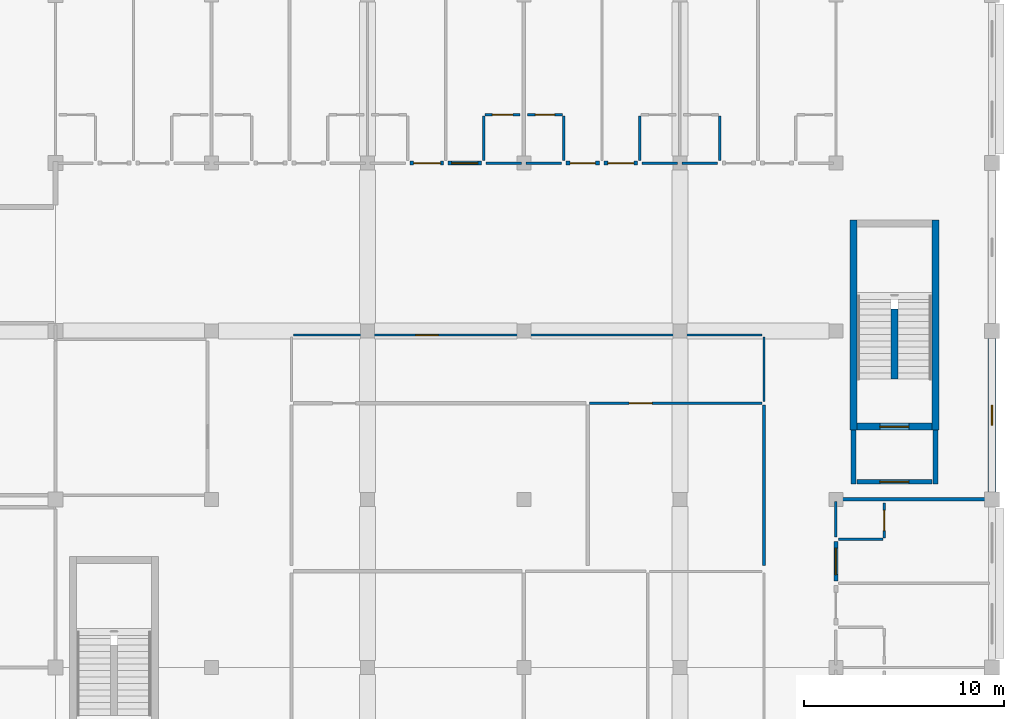
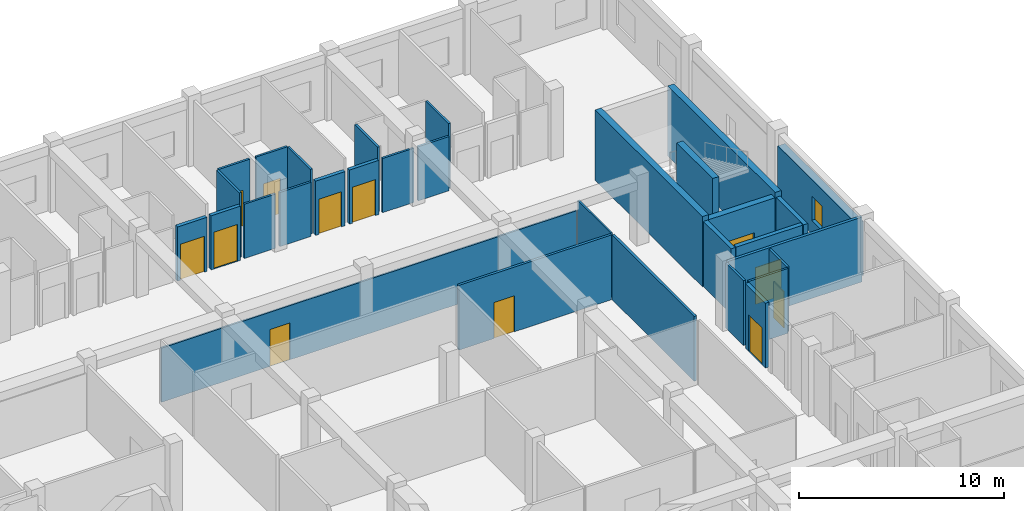
# One storey, part 42 of 53: 31 walls, 12 doors, 1 window, 13 openings.
"""IFC4 building model written with IfcOpenShell, lengths in metres."""

from ifc_helpers import new_model, si_unit, direction, frame, frame_2d, origin, place, context, subcontext, project, spatial, rectangle, extrude, material, layer, layer_set, type_object, element, fill, save


model = new_model("IFC4")

# Units and contexts
model_context = context("Model", 3, precision=1e-05, world=origin(), true_north=direction((0.0, 1.0)))
body_context = subcontext(model_context, "Body", "Model", "MODEL_VIEW")
ifc_project = project(units=[si_unit("LENGTHUNIT", "METRE"), si_unit("AREAUNIT", "SQUARE_METRE"), si_unit("VOLUMEUNIT", "CUBIC_METRE"), si_unit("PLANEANGLEUNIT", "RADIAN"), si_unit("MASSUNIT", "GRAM", prefix="KILO"), si_unit("THERMODYNAMICTEMPERATUREUNIT", "KELVIN"), si_unit("POWERUNIT", "WATT")], contexts=[model_context])

# Site, building, storey
site_placement = place(None, origin())
site = spatial("IfcSite", under=ifc_project, at=site_placement, CompositionType="ELEMENT")
building_placement = place(site_placement, origin())
building = spatial("IfcBuilding", under=site, at=building_placement, Name="Srebrne Nadtorze General Hospital", CompositionType="ELEMENT")
storey_placement = place(building_placement, frame((0.0, 0.0, 18.0)))
storey = spatial("IfcBuildingStorey", under=building, at=storey_placement, Name="L04", CompositionType="ELEMENT", Elevation=18.0)

# Wall, opening, window
ifc_material_1 = material(Name="Concrete C40/50", Category="concrete")
ifc_layer_1 = layer(ifc_material_1, 0.419921875)
ifc_layer_set_1 = layer_set([ifc_layer_1], Name="Concrete C40/50")
wall_type_1 = type_object("IfcWallType", Name="Acoustic buffer wall 420", PredefinedType="SOLIDWALL", material=ifc_layer_set_1)
wall_1_placement = place(storey_placement, frame((148.199951171875, 67.574951171875, 0.0), z_axis=(0.0, 0.0, 1.0), x_axis=(0.0, 1.0, 0.0)))
wall_1 = element("IfcWall", 1, at=wall_1_placement, inside=storey, type_object=wall_type_1, Name="Exterior wall WL-ENV-L04-0401", PredefinedType="SOLIDWALL", context=body_context, shape_type="SweptSolid", body=[
    extrude(rectangle(XDim=7.650146484375, YDim=0.419921875, at=frame_2d((3.8251953125, 0.0))), origin(), (0.0, 0.0, 1.0), 3.235107421875),
])
opening_1_placement = place(wall_1_placement, frame((3.324951171875, 0.0, 0.800048828125)))
opening_1 = element("IfcOpeningElement", 2, at=opening_1_placement, cuts=wall_1, Name="Opening WN-L04-0629", PredefinedType="OPENING", context=body_context, shape_type="SweptSolid", body=[
    extrude(rectangle(XDim=1.0, YDim=1.449951171875, at=frame_2d((0.5, 0.72509765625))), frame((0.0, 0.221923828125, 0.0), z_axis=(0.0, -1.0, 0.0), x_axis=(1.0, 0.0, 0.0)), (0.0, 0.0, 1.0), 0.44384765625),
])
ifc_material_2 = material(Name="Triple Low-E Glazing", Category="glass")
window_type = type_object("IfcWindowType", Name="Punched clinical window 1000x1450", PartitioningType="SINGLE_PANEL", PredefinedType="WINDOW", material=ifc_material_2)
window_placement = place(opening_1_placement, origin())
window = element("IfcWindow", 3, at=window_placement, inside=storey, type_object=window_type, Name="Clinical window WN-L04-0629", OverallHeight=1.449951171875, OverallWidth=1.0, PartitioningType="SINGLE_PANEL", PredefinedType="WINDOW", context=body_context, shape_type="SweptSolid", body=[
    extrude(rectangle(XDim=1.0, YDim=1.449951171875, at=frame_2d((0.5, 0.72509765625))), frame((0.0, 0.030029296875, 0.0), z_axis=(0.0, -1.0, 0.0), x_axis=(1.0, 0.0, 0.0)), (0.0, 0.0, 1.0), 0.06005859375),
])
fill(opening_1, window)

# Wall, opening, door
ifc_material_3 = material(Name="Gypsum Healthcare Partition")
ifc_layer_2 = layer(ifc_material_3, 0.139892578125)
ifc_layer_set_2 = layer_set([ifc_layer_2], Name="Gypsum Healthcare Partition")
wall_type_2 = type_object("IfcWallType", Name="Clinical partition 140", PredefinedType="PARTITIONING", material=ifc_layer_set_2)
wall_2_placement = place(storey_placement, frame((128.0849609375, 72.0, 0.0), z_axis=(0.0, 0.0, 1.0), x_axis=(1.0, 0.0, 0.0)))
wall_2 = element("IfcWall", 4, at=wall_2_placement, inside=storey, type_object=wall_type_2, Name="Ward Echocardiography Suite wall WL-INT-L04-1851", PredefinedType="PARTITIONING", context=body_context, shape_type="SweptSolid", body=[
    extrude(rectangle(XDim=8.630126953125, YDim=0.139892578125, at=frame_2d((4.31494140625, 0.0))), origin(), (0.0, 0.0, 1.0), 3.864990234375),
])
opening_2_placement = place(wall_2_placement, frame((1.982421875, 0.0, 0.0)))
opening_2 = element("IfcOpeningElement", 5, at=opening_2_placement, cuts=wall_2, Name="Opening D-L04-0353", PredefinedType="OPENING", context=body_context, shape_type="SweptSolid", body=[
    extrude(rectangle(XDim=1.14990234375, YDim=2.14990234375, at=frame_2d((0.574951171875, 1.074951171875))), frame((0.0, 0.08203125, 0.0), z_axis=(0.0, -1.0, 0.0), x_axis=(1.0, 0.0, 0.0)), (0.0, 0.0, 1.0), 0.163818359375),
])
ifc_material_4 = material(Name="Anodised Aluminium", Category="aluminium")
door_type_1 = type_object("IfcDoorType", Name="Single leaf door 1150x2150", OperationType="NOTDEFINED", PredefinedType="DOOR", material=ifc_material_4)
door_1_placement = place(opening_2_placement, frame((1.14990234375, 0.0, 0.0), z_axis=(0.0, 0.0, 1.0), x_axis=(-1.0, 0.0, 0.0)))
door_1 = element("IfcDoor", 6, at=door_1_placement, inside=storey, type_object=door_type_1, Name="Ward Echocardiography Suite door D-L04-0353", OperationType="SINGLE_SWING_RIGHT", OverallHeight=2.14990234375, OverallWidth=1.14990234375, PredefinedType="DOOR", context=body_context, shape_type="SweptSolid", body=[
    extrude(rectangle(XDim=1.14990234375, YDim=2.14990234375, at=frame_2d((0.574951171875, 1.074951171875))), frame((0.0, 0.02490234375, 0.0), z_axis=(0.0, -1.0, 0.0), x_axis=(1.0, 0.0, 0.0)), (0.0, 0.0, 1.0), 0.050048828125),
])
fill(opening_2, door_1)

# Walls
wall_3_placement = place(storey_placement, frame((136.800048828125, 63.885009765625, 0.0), z_axis=(0.0, 0.0, 1.0), x_axis=(0.0, 1.0, 0.0)))
element("IfcWall", 7, at=wall_3_placement, inside=storey, type_object=wall_type_2, Name="Ward Echocardiography Suite wall WL-INT-L04-1852", PredefinedType="PARTITIONING", context=body_context, shape_type="SweptSolid", body=[
    extrude(rectangle(XDim=8.030029296875, YDim=0.139892578125, at=frame_2d((4.01513671875, 0.0))), origin(), (0.0, 0.0, 1.0), 3.864990234375),
])
ifc_material_5 = material(Name="Gypsum Healthcare Partition")
ifc_layer_3 = layer(ifc_material_5, 0.159912109375)
ifc_layer_set_3 = layer_set([ifc_layer_3], Name="Gypsum Healthcare Partition")
wall_type_3 = type_object("IfcWallType", Name="Clinical partition 160", PredefinedType="PARTITIONING", material=ifc_layer_set_3)
wall_4_placement = place(storey_placement, frame((140.52001953125, 67.199951171875, 0.0), z_axis=(0.0, 0.0, 1.0), x_axis=(1.0, 0.0, 0.0)))
element("IfcWall", 8, at=wall_4_placement, inside=storey, type_object=wall_type_3, Name="Ward inter-room partition WL-INT-L04-1812", PredefinedType="PARTITIONING", context=body_context, shape_type="SweptSolid", body=[
    extrude(rectangle(XDim=7.56005859375, YDim=0.159912109375, at=frame_2d((3.780029296875, 0.0))), origin(), (0.0, 0.0, 1.0), 3.864990234375),
])

# Wall, opening, door
ifc_material_6 = material(Name="Gypsum Healthcare Partition")
ifc_layer_4 = layer(ifc_material_6, 0.199951171875)
ifc_layer_set_4 = layer_set([ifc_layer_4], Name="Gypsum Healthcare Partition")
wall_type_4 = type_object("IfcWallType", Name="Compartment wall 200", PredefinedType="STANDARD", material=ifc_layer_set_4)
wall_5_placement = place(storey_placement, frame((119.1201171875, 84.0, 0.0), z_axis=(0.0, 0.0, 1.0), x_axis=(1.0, 0.0, 0.0)))
wall_5 = element("IfcWall", 9, at=wall_5_placement, inside=storey, type_object=wall_type_4, Name="Ward corridor wall WL-INT-L04-1747", PredefinedType="STANDARD", context=body_context, shape_type="SweptSolid", body=[
    extrude(rectangle(XDim=1.659912109375, YDim=0.199951171875, at=frame_2d((0.830078125, 0.0))), origin(), (0.0, 0.0, 1.0), 3.235107421875),
])
opening_3_placement = place(wall_5_placement, frame((0.179931640625, 0.0, 0.0)))
opening_3 = element("IfcOpeningElement", 10, at=opening_3_placement, cuts=wall_5, Name="Opening D-L04-0314", PredefinedType="OPENING", context=body_context, shape_type="SweptSolid", body=[
    extrude(rectangle(XDim=1.35009765625, YDim=2.14990234375, at=frame_2d((0.675048828125, 1.074951171875))), frame((0.0, 0.11181640625, 0.0), z_axis=(0.0, -1.0, 0.0), x_axis=(1.0, 0.0, 0.0)), (0.0, 0.0, 1.0), 0.223876953125),
])
ifc_material_7 = material(Name="Anodised Aluminium", Category="aluminium")
door_type_2 = type_object("IfcDoorType", Name="Single leaf door 1350x2150", OperationType="NOTDEFINED", PredefinedType="DOOR", material=ifc_material_7)
door_2_placement = place(opening_3_placement, origin())
door_2 = element("IfcDoor", 11, at=door_2_placement, inside=storey, type_object=door_type_2, Name="Ward patient room door D-L04-0314", OperationType="SINGLE_SWING_LEFT", OverallHeight=2.14990234375, OverallWidth=1.35009765625, PredefinedType="DOOR", context=body_context, shape_type="SweptSolid", body=[
    extrude(rectangle(XDim=1.35009765625, YDim=2.14990234375, at=frame_2d((0.675048828125, 1.074951171875))), frame((0.0, 0.02490234375, 0.0), z_axis=(0.0, -1.0, 0.0), x_axis=(1.0, 0.0, 0.0)), (0.0, 0.0, 1.0), 0.050048828125),
])
fill(opening_3, door_2)

wall_6_placement = place(storey_placement, frame((121.02001953125, 84.0, 0.0), z_axis=(0.0, 0.0, 1.0), x_axis=(1.0, 0.0, 0.0)))
wall_6 = element("IfcWall", 12, at=wall_6_placement, inside=storey, type_object=wall_type_4, Name="Ward corridor wall WL-INT-L04-1752", PredefinedType="STANDARD", context=body_context, shape_type="SweptSolid", body=[
    extrude(rectangle(XDim=1.659912109375, YDim=0.199951171875, at=frame_2d((0.830078125, 0.0))), origin(), (0.0, 0.0, 1.0), 3.235107421875),
])
opening_4_placement = place(wall_6_placement, frame((0.169921875, 0.0, 0.0)))
opening_4 = element("IfcOpeningElement", 13, at=opening_4_placement, cuts=wall_6, Name="Opening D-L04-0316", PredefinedType="OPENING", context=body_context, shape_type="SweptSolid", body=[
    extrude(rectangle(XDim=1.320068359375, YDim=2.199951171875, at=frame_2d((0.66015625, 1.10009765625))), frame((0.0, 0.11181640625, 0.0), z_axis=(0.0, -1.0, 0.0), x_axis=(1.0, 0.0, 0.0)), (0.0, 0.0, 1.0), 0.223876953125),
])
ifc_material_8 = material(Name="Anodised Aluminium", Category="aluminium")
door_type_3 = type_object("IfcDoorType", Name="Single leaf door 1320x2200", OperationType="NOTDEFINED", PredefinedType="DOOR", material=ifc_material_8)
door_3_placement = place(opening_4_placement, origin())
door_3 = element("IfcDoor", 14, at=door_3_placement, inside=storey, type_object=door_type_3, Name="Ward patient room door D-L04-0316", OperationType="SINGLE_SWING_RIGHT", OverallHeight=2.199951171875, OverallWidth=1.320068359375, PredefinedType="DOOR", context=body_context, shape_type="SweptSolid", body=[
    extrude(rectangle(XDim=1.320068359375, YDim=2.199951171875, at=frame_2d((0.66015625, 1.10009765625))), frame((0.0, 0.02490234375, 0.0), z_axis=(0.0, -1.0, 0.0), x_axis=(1.0, 0.0, 0.0)), (0.0, 0.0, 1.0), 0.050048828125),
])
fill(opening_4, door_3)

wall_7_placement = place(storey_placement, frame((126.919921875, 84.0, 0.0), z_axis=(0.0, 0.0, 1.0), x_axis=(1.0, 0.0, 0.0)))
wall_7 = element("IfcWall", 15, at=wall_7_placement, inside=storey, type_object=wall_type_4, Name="Ward corridor wall WL-INT-L04-1757", PredefinedType="STANDARD", context=body_context, shape_type="SweptSolid", body=[
    extrude(rectangle(XDim=1.66015625, YDim=0.199951171875, at=frame_2d((0.830078125, 0.0))), origin(), (0.0, 0.0, 1.0), 3.235107421875),
])
opening_5_placement = place(wall_7_placement, frame((0.199951171875, 0.0, 0.0)))
opening_5 = element("IfcOpeningElement", 16, at=opening_5_placement, cuts=wall_7, Name="Opening D-L04-0318", PredefinedType="OPENING", context=body_context, shape_type="SweptSolid", body=[
    extrude(rectangle(XDim=1.260009765625, YDim=2.10009765625, at=frame_2d((0.6298828125, 1.050048828125))), frame((0.0, 0.11181640625, 0.0), z_axis=(0.0, -1.0, 0.0), x_axis=(1.0, 0.0, 0.0)), (0.0, 0.0, 1.0), 0.223876953125),
])
ifc_material_9 = material(Name="Anodised Aluminium", Category="aluminium")
door_type_4 = type_object("IfcDoorType", Name="Single leaf door 1260x2100", OperationType="NOTDEFINED", PredefinedType="DOOR", material=ifc_material_9)
door_4_placement = place(opening_5_placement, origin())
door_4 = element("IfcDoor", 17, at=door_4_placement, inside=storey, type_object=door_type_4, Name="Ward patient room door D-L04-0318", OperationType="SINGLE_SWING_RIGHT", OverallHeight=2.10009765625, OverallWidth=1.260009765625, PredefinedType="DOOR", context=body_context, shape_type="SweptSolid", body=[
    extrude(rectangle(XDim=1.260009765625, YDim=2.10009765625, at=frame_2d((0.6298828125, 1.050048828125))), frame((0.0, 0.02490234375, 0.0), z_axis=(0.0, -1.0, 0.0), x_axis=(1.0, 0.0, 0.0)), (0.0, 0.0, 1.0), 0.050048828125),
])
fill(opening_5, door_4)

wall_8_placement = place(storey_placement, frame((128.820068359375, 84.0, 0.0), z_axis=(0.0, 0.0, 1.0), x_axis=(1.0, 0.0, 0.0)))
wall_8 = element("IfcWall", 18, at=wall_8_placement, inside=storey, type_object=wall_type_4, Name="Ward corridor wall WL-INT-L04-1762", PredefinedType="STANDARD", context=body_context, shape_type="SweptSolid", body=[
    extrude(rectangle(XDim=1.659912109375, YDim=0.199951171875, at=frame_2d((0.830078125, 0.0))), origin(), (0.0, 0.0, 1.0), 3.235107421875),
])
opening_6_placement = place(wall_8_placement, frame((0.179931640625, 0.0, 0.0)))
opening_6 = element("IfcOpeningElement", 19, at=opening_6_placement, cuts=wall_8, Name="Opening D-L04-0320", PredefinedType="OPENING", context=body_context, shape_type="SweptSolid", body=[
    extrude(rectangle(XDim=1.300048828125, YDim=2.14990234375, at=frame_2d((0.64990234375, 1.074951171875))), frame((0.0, 0.11181640625, 0.0), z_axis=(0.0, -1.0, 0.0), x_axis=(1.0, 0.0, 0.0)), (0.0, 0.0, 1.0), 0.223876953125),
])
ifc_material_10 = material(Name="Anodised Aluminium", Category="aluminium")
door_type_5 = type_object("IfcDoorType", Name="Single leaf door 1300x2150", OperationType="NOTDEFINED", PredefinedType="DOOR", material=ifc_material_10)
door_5_placement = place(opening_6_placement, origin())
door_5 = element("IfcDoor", 20, at=door_5_placement, inside=storey, type_object=door_type_5, Name="Ward patient room door D-L04-0320", OperationType="SINGLE_SWING_RIGHT", OverallHeight=2.14990234375, OverallWidth=1.300048828125, PredefinedType="DOOR", context=body_context, shape_type="SweptSolid", body=[
    extrude(rectangle(XDim=1.300048828125, YDim=2.14990234375, at=frame_2d((0.64990234375, 1.074951171875))), frame((0.0, 0.02490234375, 0.0), z_axis=(0.0, -1.0, 0.0), x_axis=(1.0, 0.0, 0.0)), (0.0, 0.0, 1.0), 0.050048828125),
])
fill(opening_6, door_5)

wall_9_placement = place(storey_placement, frame((140.39990234375, 63.1201171875, 0.0), z_axis=(0.0, 0.0, 1.0), x_axis=(0.0, 1.0, 0.0)))
wall_9 = element("IfcWall", 21, at=wall_9_placement, inside=storey, type_object=wall_type_4, Name="Ward corridor wall WL-INT-L04-1813", PredefinedType="STANDARD", context=body_context, shape_type="SweptSolid", body=[
    extrude(rectangle(XDim=1.9599609375, YDim=0.199951171875, at=frame_2d((0.97998046875, 0.0))), origin(), (0.0, 0.0, 1.0), 3.864990234375),
])
opening_7_placement = place(wall_9_placement, frame((0.320068359375, 0.0, 0.0)))
opening_7 = element("IfcOpeningElement", 22, at=opening_7_placement, cuts=wall_9, Name="Opening D-L04-0340", PredefinedType="OPENING", context=body_context, shape_type="SweptSolid", body=[
    extrude(rectangle(XDim=1.320068359375, YDim=2.199951171875, at=frame_2d((0.66015625, 1.10009765625))), frame((0.0, 0.11181640625, 0.0), z_axis=(0.0, -1.0, 0.0), x_axis=(1.0, 0.0, 0.0)), (0.0, 0.0, 1.0), 0.223876953125),
])
door_6_placement = place(opening_7_placement, frame((1.320068359375, 0.0, 0.0), z_axis=(0.0, 0.0, 1.0), x_axis=(-1.0, 0.0, 0.0)))
door_6 = element("IfcDoor", 23, at=door_6_placement, inside=storey, type_object=door_type_3, Name="Ward patient room door D-L04-0340", OperationType="SINGLE_SWING_RIGHT", OverallHeight=2.199951171875, OverallWidth=1.320068359375, PredefinedType="DOOR", context=body_context, shape_type="SweptSolid", body=[
    extrude(rectangle(XDim=1.320068359375, YDim=2.199951171875, at=frame_2d((0.66015625, 1.10009765625))), frame((0.0, 0.02490234375, 0.0), z_axis=(0.0, -1.0, 0.0), x_axis=(1.0, 0.0, 0.0)), (0.0, 0.0, 1.0), 0.050048828125),
])
fill(opening_7, door_6)

# Walls
ifc_material_11 = material(Name="Gypsum Healthcare Partition")
ifc_layer_5 = layer(ifc_material_11, 0.239990234375)
ifc_layer_set_5 = layer_set([ifc_layer_5], Name="Gypsum Healthcare Partition")
wall_type_5 = type_object("IfcWallType", Name="Corridor fire wall 240", PredefinedType="STANDARD", material=ifc_layer_set_5)
for number, where, z_axis, x_axis, name in (
    (24, (141.27490234375, 67.955078125, 0.0), (0.0, 0.0, 1.0), (0.0, 1.0, 0.0), "Fire lobby wall ST-04 WL-INT-L04-0317"),
    (25, (145.375, 67.955078125, 0.0), (0.0, 0.0, 1.0), (0.0, 1.0, 0.0), "Fire lobby wall ST-04 WL-INT-L04-0318"),
):
    element("IfcWall", number, at=place(storey_placement, frame(where, z_axis=z_axis, x_axis=x_axis)), inside=storey, type_object=wall_type_5, Name=name, PredefinedType="STANDARD", context=body_context, shape_type="SweptSolid", body=[
        extrude(rectangle(XDim=2.69482421875, YDim=0.239990234375, at=frame_2d((1.347412109375, 0.0))), origin(), (0.0, 0.0, 1.0), 3.885009765625),
    ])

# Wall, opening, door
wall_10_placement = place(storey_placement, frame((141.449951171875, 68.074951171875, 0.0), z_axis=(0.0, 0.0, 1.0), x_axis=(1.0, 0.0, 0.0)))
wall_10 = element("IfcWall", 26, at=wall_10_placement, inside=storey, type_object=wall_type_5, Name="Fire lobby entry wall ST-04 WL-INT-L04-0319", PredefinedType="STANDARD", context=body_context, shape_type="SweptSolid", body=[
    extrude(rectangle(XDim=3.75, YDim=0.239990234375, at=frame_2d((1.875, 0.0))), origin(), (0.0, 0.0, 1.0), 3.885009765625),
])
opening_8_placement = place(wall_10_placement, frame((1.14990234375, 0.0, 0.0)))
opening_8 = element("IfcOpeningElement", 27, at=opening_8_placement, cuts=wall_10, Name="Opening D-L04-0080", PredefinedType="OPENING", context=body_context, shape_type="SweptSolid", body=[
    extrude(rectangle(XDim=1.449951171875, YDim=2.199951171875, at=frame_2d((0.72509765625, 1.10009765625))), frame((0.0, 0.1318359375, 0.0), z_axis=(0.0, -1.0, 0.0), x_axis=(1.0, 0.0, 0.0)), (0.0, 0.0, 1.0), 0.263916015625),
])
ifc_material_12 = material(Name="Anodised Aluminium", Category="aluminium")
door_type_6 = type_object("IfcDoorType", Name="Double leaf door 1450x2200", OperationType="DOUBLE_DOOR_SINGLE_SWING", PredefinedType="DOOR", material=ifc_material_12)
door_7_placement = place(opening_8_placement, origin())
door_7 = element("IfcDoor", 28, at=door_7_placement, inside=storey, type_object=door_type_6, Name="Fire lobby door ST-04 D-L04-0080", OperationType="DOUBLE_DOOR_SINGLE_SWING", OverallHeight=2.199951171875, OverallWidth=1.449951171875, PredefinedType="DOOR", context=body_context, shape_type="SweptSolid", body=[
    extrude(rectangle(XDim=1.449951171875, YDim=2.199951171875, at=frame_2d((0.72509765625, 1.10009765625))), frame((0.0, 0.02490234375, 0.0), z_axis=(0.0, -1.0, 0.0), x_axis=(1.0, 0.0, 0.0)), (0.0, 0.0, 1.0), 0.050048828125),
])
fill(opening_8, door_7)

# Walls
ifc_material_13 = material(Name="Gypsum Healthcare Partition")
ifc_layer_6 = layer(ifc_material_13, 0.1201171875)
ifc_layer_set_6 = layer_set([ifc_layer_6], Name="Gypsum Healthcare Partition")
wall_type_6 = type_object("IfcWallType", Name="En-suite partition 120", PredefinedType="PARTITIONING", material=ifc_layer_set_6)
wall_11_placement = place(storey_placement, frame((122.919921875, 84.0, 0.0), z_axis=(0.0, 0.0, 1.0), x_axis=(1.0, 0.0, 0.0)))
element("IfcWall", 29, at=wall_11_placement, inside=storey, type_object=wall_type_6, Name="En-suite corridor wall WL-INT-L04-1753", PredefinedType="PARTITIONING", context=body_context, shape_type="SweptSolid", body=[
    extrude(rectangle(XDim=1.760009765625, YDim=0.1201171875, at=frame_2d((0.8798828125, 0.0))), origin(), (0.0, 0.0, 1.0), 3.235107421875),
])
wall_12_placement = place(storey_placement, frame((122.800048828125, 84.1201171875, 0.0), z_axis=(0.0, 0.0, 1.0), x_axis=(0.0, 1.0, 0.0)))
element("IfcWall", 30, at=wall_12_placement, inside=storey, type_object=wall_type_6, Name="En-suite wet wall WL-INT-L04-1754", PredefinedType="PARTITIONING", context=body_context, shape_type="SweptSolid", body=[
    extrude(rectangle(XDim=2.239990234375, YDim=0.1201171875, at=frame_2d((1.1201171875, 0.0))), origin(), (0.0, 0.0, 1.0), 3.864990234375),
])

# Wall, opening, door
wall_13_placement = place(storey_placement, frame((122.860107421875, 86.419921875, 0.0), z_axis=(0.0, 0.0, 1.0), x_axis=(1.0, 0.0, 0.0)))
wall_13 = element("IfcWall", 31, at=wall_13_placement, inside=storey, type_object=wall_type_6, Name="En-suite wet wall WL-INT-L04-1755", PredefinedType="PARTITIONING", context=body_context, shape_type="SweptSolid", body=[
    extrude(rectangle(XDim=1.760009765625, YDim=0.1201171875, at=frame_2d((0.8798828125, 0.0))), origin(), (0.0, 0.0, 1.0), 3.864990234375),
])
opening_9_placement = place(wall_13_placement, frame((0.3701171875, 0.0, 0.0)))
opening_9 = element("IfcOpeningElement", 32, at=opening_9_placement, cuts=wall_13, Name="Opening D-L04-0317", PredefinedType="OPENING", context=body_context, shape_type="SweptSolid", body=[
    extrude(rectangle(XDim=1.02001953125, YDim=2.14990234375, at=frame_2d((0.510009765625, 1.074951171875))), frame((0.0, 0.072021484375, 0.0), z_axis=(0.0, -1.0, 0.0), x_axis=(1.0, 0.0, 0.0)), (0.0, 0.0, 1.0), 0.14404296875),
])
ifc_material_14 = material(Name="Anodised Aluminium", Category="aluminium")
door_type_7 = type_object("IfcDoorType", Name="Single leaf door 1020x2150", OperationType="NOTDEFINED", PredefinedType="DOOR", material=ifc_material_14)
door_8_placement = place(opening_9_placement, frame((1.02001953125, 0.0, 0.0), z_axis=(0.0, 0.0, 1.0), x_axis=(-1.0, 0.0, 0.0)))
door_8 = element("IfcDoor", 33, at=door_8_placement, inside=storey, type_object=door_type_7, Name="En-suite bathroom door D-L04-0317", OperationType="SINGLE_SWING_RIGHT", OverallHeight=2.14990234375, OverallWidth=1.02001953125, PredefinedType="DOOR", context=body_context, shape_type="SweptSolid", body=[
    extrude(rectangle(XDim=1.02001953125, YDim=2.14990234375, at=frame_2d((0.510009765625, 1.074951171875))), frame((0.0, 0.02490234375, 0.0), z_axis=(0.0, -1.0, 0.0), x_axis=(1.0, 0.0, 0.0)), (0.0, 0.0, 1.0), 0.050048828125),
])
fill(opening_9, door_8)

# Walls
wall_14_placement = place(storey_placement, frame((124.919921875, 84.0, 0.0), z_axis=(0.0, 0.0, 1.0), x_axis=(1.0, 0.0, 0.0)))
element("IfcWall", 34, at=wall_14_placement, inside=storey, type_object=wall_type_6, Name="En-suite corridor wall WL-INT-L04-1758", PredefinedType="PARTITIONING", context=body_context, shape_type="SweptSolid", body=[
    extrude(rectangle(XDim=1.760009765625, YDim=0.1201171875, at=frame_2d((0.8798828125, 0.0))), origin(), (0.0, 0.0, 1.0), 3.235107421875),
])
wall_15_placement = place(storey_placement, frame((126.800048828125, 84.1201171875, 0.0), z_axis=(0.0, 0.0, 1.0), x_axis=(0.0, 1.0, 0.0)))
element("IfcWall", 35, at=wall_15_placement, inside=storey, type_object=wall_type_6, Name="En-suite wet wall WL-INT-L04-1759", PredefinedType="PARTITIONING", context=body_context, shape_type="SweptSolid", body=[
    extrude(rectangle(XDim=2.239990234375, YDim=0.1201171875, at=frame_2d((1.1201171875, 0.0))), origin(), (0.0, 0.0, 1.0), 3.864990234375),
])

# Wall, opening, door
wall_16_placement = place(storey_placement, frame((124.97998046875, 86.419921875, 0.0), z_axis=(0.0, 0.0, 1.0), x_axis=(1.0, 0.0, 0.0)))
wall_16 = element("IfcWall", 36, at=wall_16_placement, inside=storey, type_object=wall_type_6, Name="En-suite wet wall WL-INT-L04-1760", PredefinedType="PARTITIONING", context=body_context, shape_type="SweptSolid", body=[
    extrude(rectangle(XDim=1.760009765625, YDim=0.1201171875, at=frame_2d((0.8798828125, 0.0))), origin(), (0.0, 0.0, 1.0), 3.864990234375),
])
opening_10_placement = place(wall_16_placement, frame((0.39990234375, 0.0, 0.0)))
opening_10 = element("IfcOpeningElement", 37, at=opening_10_placement, cuts=wall_16, Name="Opening D-L04-0319", PredefinedType="OPENING", context=body_context, shape_type="SweptSolid", body=[
    extrude(rectangle(XDim=0.9599609375, YDim=2.1201171875, at=frame_2d((0.47998046875, 1.06005859375))), frame((0.0, 0.072021484375, 0.0), z_axis=(0.0, -1.0, 0.0), x_axis=(1.0, 0.0, 0.0)), (0.0, 0.0, 1.0), 0.14404296875),
])
ifc_material_15 = material(Name="Anodised Aluminium", Category="aluminium")
door_type_8 = type_object("IfcDoorType", Name="Single leaf door 960x2120", OperationType="NOTDEFINED", PredefinedType="DOOR", material=ifc_material_15)
door_9_placement = place(opening_10_placement, frame((0.9599609375, 0.0, 0.0), z_axis=(0.0, 0.0, 1.0), x_axis=(-1.0, 0.0, 0.0)))
door_9 = element("IfcDoor", 38, at=door_9_placement, inside=storey, type_object=door_type_8, Name="En-suite bathroom door D-L04-0319", OperationType="SINGLE_SWING_RIGHT", OverallHeight=2.1201171875, OverallWidth=0.9599609375, PredefinedType="DOOR", context=body_context, shape_type="SweptSolid", body=[
    extrude(rectangle(XDim=0.9599609375, YDim=2.1201171875, at=frame_2d((0.47998046875, 1.06005859375))), frame((0.0, 0.02490234375, 0.0), z_axis=(0.0, -1.0, 0.0), x_axis=(1.0, 0.0, 0.0)), (0.0, 0.0, 1.0), 0.050048828125),
])
fill(opening_10, door_9)

# Walls
wall_17_placement = place(storey_placement, frame((130.719970703125, 84.0, 0.0), z_axis=(0.0, 0.0, 1.0), x_axis=(1.0, 0.0, 0.0)))
element("IfcWall", 39, at=wall_17_placement, inside=storey, type_object=wall_type_6, Name="En-suite corridor wall WL-INT-L04-1763", PredefinedType="PARTITIONING", context=body_context, shape_type="SweptSolid", body=[
    extrude(rectangle(XDim=1.760009765625, YDim=0.1201171875, at=frame_2d((0.8798828125, 0.0))), origin(), (0.0, 0.0, 1.0), 3.235107421875),
])
wall_18_placement = place(storey_placement, frame((130.60009765625, 84.1201171875, 0.0), z_axis=(0.0, 0.0, 1.0), x_axis=(0.0, 1.0, 0.0)))
element("IfcWall", 40, at=wall_18_placement, inside=storey, type_object=wall_type_6, Name="En-suite wet wall WL-INT-L04-1764", PredefinedType="PARTITIONING", context=body_context, shape_type="SweptSolid", body=[
    extrude(rectangle(XDim=2.239990234375, YDim=0.1201171875, at=frame_2d((1.1201171875, 0.0))), origin(), (0.0, 0.0, 1.0), 3.864990234375),
])
wall_19_placement = place(storey_placement, frame((132.719970703125, 84.0, 0.0), z_axis=(0.0, 0.0, 1.0), x_axis=(1.0, 0.0, 0.0)))
element("IfcWall", 41, at=wall_19_placement, inside=storey, type_object=wall_type_6, Name="En-suite corridor wall WL-INT-L04-1768", PredefinedType="PARTITIONING", context=body_context, shape_type="SweptSolid", body=[
    extrude(rectangle(XDim=1.760009765625, YDim=0.1201171875, at=frame_2d((0.8798828125, 0.0))), origin(), (0.0, 0.0, 1.0), 3.235107421875),
])
wall_20_placement = place(storey_placement, frame((134.60009765625, 84.1201171875, 0.0), z_axis=(0.0, 0.0, 1.0), x_axis=(0.0, 1.0, 0.0)))
element("IfcWall", 42, at=wall_20_placement, inside=storey, type_object=wall_type_6, Name="En-suite wet wall WL-INT-L04-1769", PredefinedType="PARTITIONING", context=body_context, shape_type="SweptSolid", body=[
    extrude(rectangle(XDim=2.239990234375, YDim=0.1201171875, at=frame_2d((1.1201171875, 0.0))), origin(), (0.0, 0.0, 1.0), 3.864990234375),
])
wall_21_placement = place(storey_placement, frame((140.39990234375, 65.320068359375, 0.0), z_axis=(0.0, 0.0, 1.0), x_axis=(0.0, 1.0, 0.0)))
element("IfcWall", 43, at=wall_21_placement, inside=storey, type_object=wall_type_6, Name="En-suite corridor wall WL-INT-L04-1814", PredefinedType="PARTITIONING", context=body_context, shape_type="SweptSolid", body=[
    extrude(rectangle(XDim=1.760009765625, YDim=0.1201171875, at=frame_2d((0.8798828125, 0.0))), origin(), (0.0, 0.0, 1.0), 3.864990234375),
])
wall_22_placement = place(storey_placement, frame((140.52001953125, 65.199951171875, 0.0), z_axis=(0.0, 0.0, 1.0), x_axis=(1.0, 0.0, 0.0)))
element("IfcWall", 44, at=wall_22_placement, inside=storey, type_object=wall_type_6, Name="En-suite wet wall WL-INT-L04-1815", PredefinedType="PARTITIONING", context=body_context, shape_type="SweptSolid", body=[
    extrude(rectangle(XDim=2.239990234375, YDim=0.1201171875, at=frame_2d((1.1201171875, 0.0))), origin(), (0.0, 0.0, 1.0), 3.864990234375),
])

# Wall, opening, door
wall_23_placement = place(storey_placement, frame((142.820068359375, 65.260009765625, 0.0), z_axis=(0.0, 0.0, 1.0), x_axis=(0.0, 1.0, 0.0)))
wall_23 = element("IfcWall", 45, at=wall_23_placement, inside=storey, type_object=wall_type_6, Name="En-suite wet wall WL-INT-L04-1816", PredefinedType="PARTITIONING", context=body_context, shape_type="SweptSolid", body=[
    extrude(rectangle(XDim=1.760009765625, YDim=0.1201171875, at=frame_2d((0.8798828125, 0.0))), origin(), (0.0, 0.0, 1.0), 3.864990234375),
])
opening_11_placement = place(wall_23_placement, frame((0.3701171875, 0.0, 0.0)))
opening_11 = element("IfcOpeningElement", 46, at=opening_11_placement, cuts=wall_23, Name="Opening D-L04-0341", PredefinedType="OPENING", context=body_context, shape_type="SweptSolid", body=[
    extrude(rectangle(XDim=1.02001953125, YDim=2.14990234375, at=frame_2d((0.510009765625, 1.074951171875))), frame((0.0, 0.072021484375, 0.0), z_axis=(0.0, -1.0, 0.0), x_axis=(1.0, 0.0, 0.0)), (0.0, 0.0, 1.0), 0.14404296875),
])
door_10_placement = place(opening_11_placement, origin())
door_10 = element("IfcDoor", 47, at=door_10_placement, inside=storey, type_object=door_type_7, Name="En-suite bathroom door D-L04-0341", OperationType="SINGLE_SWING_RIGHT", OverallHeight=2.14990234375, OverallWidth=1.02001953125, PredefinedType="DOOR", context=body_context, shape_type="SweptSolid", body=[
    extrude(rectangle(XDim=1.02001953125, YDim=2.14990234375, at=frame_2d((0.510009765625, 1.074951171875))), frame((0.0, 0.02490234375, 0.0), z_axis=(0.0, -1.0, 0.0), x_axis=(1.0, 0.0, 0.0)), (0.0, 0.0, 1.0), 0.050048828125),
])
fill(opening_11, door_10)

ifc_material_16 = material(Name="Gypsum Healthcare Partition")
ifc_layer_7 = layer(ifc_material_16, 0.10009765625)
ifc_layer_set_7 = layer_set([ifc_layer_7], Name="Gypsum Healthcare Partition")
wall_type_7 = type_object("IfcWallType", Name="Shaft lining wall 100", PredefinedType="PARTITIONING", material=ifc_layer_set_7)
wall_24_placement = place(storey_placement, frame((113.284912109375, 75.39990234375, 0.0), z_axis=(0.0, 0.0, 1.0), x_axis=(1.0, 0.0, 0.0)))
wall_24 = element("IfcWall", 48, at=wall_24_placement, inside=storey, type_object=wall_type_7, Name="Inpatient Ward Day Room wall WL-INT-L04-1865", PredefinedType="PARTITIONING", context=body_context, shape_type="SweptSolid", body=[
    extrude(rectangle(XDim=23.43017578125, YDim=0.10009765625, at=frame_2d((11.715087890625, 0.0))), origin(), (0.0, 0.0, 1.0), 3.235107421875),
])
opening_12_placement = place(wall_24_placement, frame((6.118896484375, 0.0, 0.0)))
opening_12 = element("IfcOpeningElement", 49, at=opening_12_placement, cuts=wall_24, Name="Opening D-L04-0357", PredefinedType="OPENING", context=body_context, shape_type="SweptSolid", body=[
    extrude(rectangle(XDim=1.1201171875, YDim=2.199951171875, at=frame_2d((0.56005859375, 1.10009765625))), frame((0.0, 0.06201171875, 0.0), z_axis=(0.0, -1.0, 0.0), x_axis=(1.0, 0.0, 0.0)), (0.0, 0.0, 1.0), 0.1240234375),
])
ifc_material_17 = material(Name="Anodised Aluminium", Category="aluminium")
door_type_9 = type_object("IfcDoorType", Name="Single leaf door 1120x2200", OperationType="NOTDEFINED", PredefinedType="DOOR", material=ifc_material_17)
door_11_placement = place(opening_12_placement, frame((1.1201171875, 0.0, 0.0), z_axis=(0.0, 0.0, 1.0), x_axis=(-1.0, 0.0, 0.0)))
door_11 = element("IfcDoor", 50, at=door_11_placement, inside=storey, type_object=door_type_9, Name="Inpatient Ward Day Room door D-L04-0357", OperationType="SINGLE_SWING_RIGHT", OverallHeight=2.199951171875, OverallWidth=1.1201171875, PredefinedType="DOOR", context=body_context, shape_type="SweptSolid", body=[
    extrude(rectangle(XDim=1.1201171875, YDim=2.199951171875, at=frame_2d((0.56005859375, 1.10009765625))), frame((0.0, 0.02490234375, 0.0), z_axis=(0.0, -1.0, 0.0), x_axis=(1.0, 0.0, 0.0)), (0.0, 0.0, 1.0), 0.050048828125),
])
fill(opening_12, door_11)

# Walls
wall_25_placement = place(storey_placement, frame((136.800048828125, 72.0849609375, 0.0), z_axis=(0.0, 0.0, 1.0), x_axis=(0.0, 1.0, 0.0)))
element("IfcWall", 51, at=wall_25_placement, inside=storey, type_object=wall_type_7, Name="Inpatient Ward Day Room wall WL-INT-L04-1867", PredefinedType="PARTITIONING", context=body_context, shape_type="SweptSolid", body=[
    extrude(rectangle(XDim=3.22998046875, YDim=0.10009765625, at=frame_2d((1.614990234375, 0.0))), origin(), (0.0, 0.0, 1.0), 3.864990234375),
])
ifc_material_18 = material(Name="Concrete C40/50", Category="concrete")
ifc_layer_8 = layer(ifc_material_18, 0.35009765625)
ifc_layer_set_8 = layer_set([ifc_layer_8], Name="Concrete C40/50")
wall_type_8 = type_object("IfcWallType", Name="Shear core wall 350", PredefinedType="SHEAR", material=ifc_layer_set_8)
for number, where, z_axis, x_axis, name in (
    (52, (141.27490234375, 70.64990234375, 0.0), (0.0, 0.0, 1.0), (0.0, 1.0, 0.0), "Stair core wall ST-04 WL-INT-L04-0313"),
    (53, (145.375, 70.64990234375, 0.0), (0.0, 0.0, 1.0), (0.0, 1.0, 0.0), "Stair core wall ST-04 WL-INT-L04-0314"),
):
    element("IfcWall", number, at=place(storey_placement, frame(where, z_axis=z_axis, x_axis=x_axis)), inside=storey, type_object=wall_type_8, Name=name, PredefinedType="SHEAR", context=body_context, shape_type="SweptSolid", body=[
        extrude(rectangle(XDim=10.5, YDim=0.35009765625, at=frame_2d((5.25, 0.0))), origin(), (0.0, 0.0, 1.0), 4.199951171875),
    ])

# Wall, opening, door
wall_26_placement = place(storey_placement, frame((141.449951171875, 70.824951171875, 0.0), z_axis=(0.0, 0.0, 1.0), x_axis=(1.0, 0.0, 0.0)))
wall_26 = element("IfcWall", 54, at=wall_26_placement, inside=storey, type_object=wall_type_8, Name="Stairwell fire wall ST-04 WL-INT-L04-0316", PredefinedType="SHEAR", context=body_context, shape_type="SweptSolid", body=[
    extrude(rectangle(XDim=3.75, YDim=0.35009765625, at=frame_2d((1.875, 0.0))), origin(), (0.0, 0.0, 1.0), 3.885009765625),
])
opening_13_placement = place(wall_26_placement, frame((1.14990234375, 0.0, 0.0)))
opening_13 = element("IfcOpeningElement", 55, at=opening_13_placement, cuts=wall_26, Name="Opening D-L04-0079", PredefinedType="OPENING", context=body_context, shape_type="SweptSolid", body=[
    extrude(rectangle(XDim=1.449951171875, YDim=2.199951171875, at=frame_2d((0.72509765625, 1.10009765625))), frame((0.0, 0.18701171875, 0.0), z_axis=(0.0, -1.0, 0.0), x_axis=(1.0, 0.0, 0.0)), (0.0, 0.0, 1.0), 0.3740234375),
])
door_12_placement = place(opening_13_placement, origin())
door_12 = element("IfcDoor", 56, at=door_12_placement, inside=storey, type_object=door_type_6, Name="Protected stair door ST-04 D-L04-0079", OperationType="DOUBLE_DOOR_SINGLE_SWING", OverallHeight=2.199951171875, OverallWidth=1.449951171875, PredefinedType="DOOR", context=body_context, shape_type="SweptSolid", body=[
    extrude(rectangle(XDim=1.449951171875, YDim=2.199951171875, at=frame_2d((0.72509765625, 1.10009765625))), frame((0.0, 0.02490234375, 0.0), z_axis=(0.0, -1.0, 0.0), x_axis=(1.0, 0.0, 0.0)), (0.0, 0.0, 1.0), 0.050048828125),
])
fill(opening_13, door_12)

# Wall
wall_27_placement = place(storey_placement, frame((143.324951171875, 73.199951171875, 0.0), z_axis=(0.0, 0.0, 1.0), x_axis=(0.0, 1.0, 0.0)))
element("IfcWall", 57, at=wall_27_placement, inside=storey, type_object=wall_type_8, Name="Stair spine wall ST-04 WL-INT-L04-0320", PredefinedType="SHEAR", context=body_context, shape_type="SweptSolid", body=[
    extrude(rectangle(XDim=3.52001953125, YDim=0.35009765625, at=frame_2d((1.760009765625, 0.0))), origin(), (0.0, 0.0, 1.0), 4.199951171875),
])

save(model, "model.ifc")
